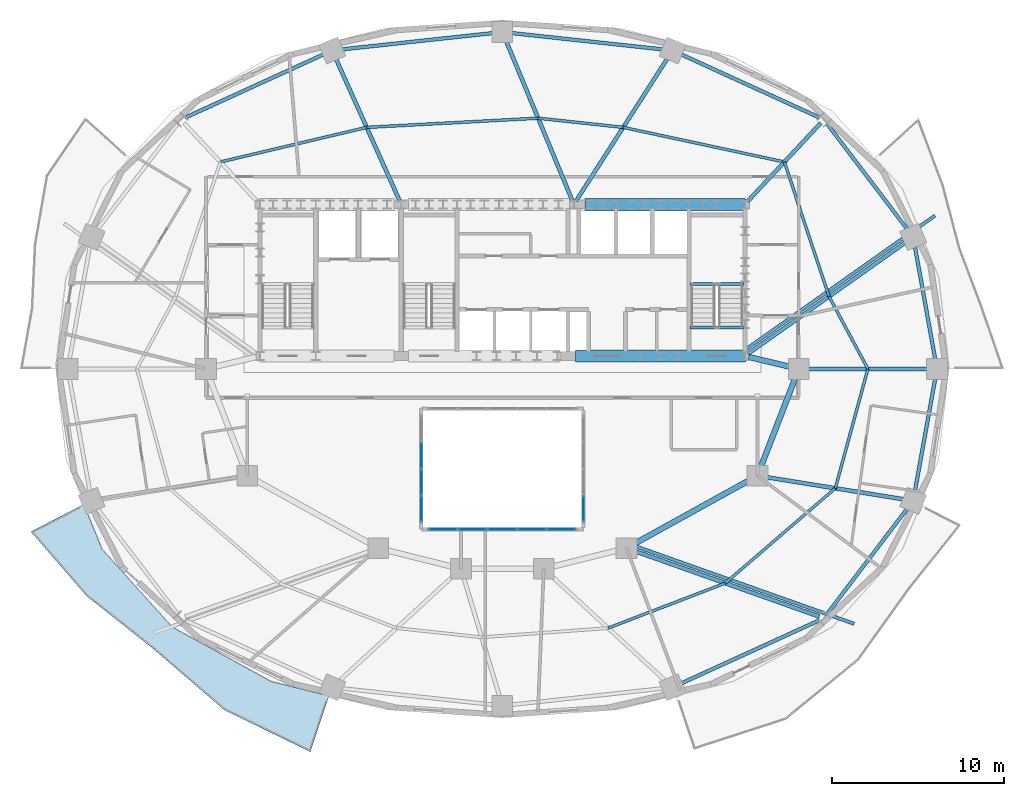
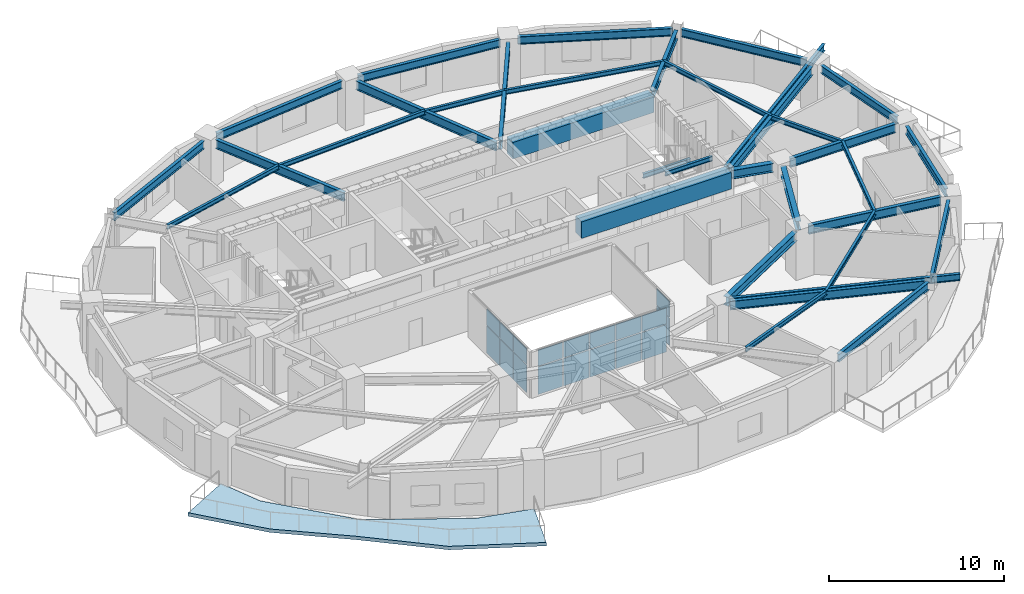
# One storey, part 4 of 12: 35 beams, 18 plates, 1 slab, 3 elements without a shape of their own.
"""IFC4 building model written with IfcOpenShell, lengths in metres."""

from ifc_helpers import new_model, si_unit, direction, frame, origin, origin_2d, place, context, subcontext, project, spatial, polyline, rectangle, i_section, outline, extrude, material, layer, layer_set, material_profile, profile_set, type_object, element, aggregate, save


model = new_model("IFC4")

# Units and contexts
model_context = context("Model", 3, precision=1e-05, world=origin(), true_north=direction((0.0, 1.0)))
body_context = subcontext(model_context, "Body", "Model", "MODEL_VIEW")
ifc_project = project(units=[si_unit("LENGTHUNIT", "METRE"), si_unit("AREAUNIT", "SQUARE_METRE"), si_unit("VOLUMEUNIT", "CUBIC_METRE"), si_unit("PLANEANGLEUNIT", "RADIAN"), si_unit("MASSUNIT", "GRAM", prefix="KILO")], contexts=[model_context])

# Site, building, storey
site_placement = place(None, origin())
site = spatial("IfcSite", under=ifc_project, at=site_placement, CompositionType="ELEMENT")
building_placement = place(site_placement, origin())
building = spatial("IfcBuilding", under=site, at=building_placement, Name="Haldorwick Loom Tower", CompositionType="ELEMENT")
storey_placement = place(building_placement, frame((0.0, 0.0, 157.89990234375)))
storey = spatial("IfcBuildingStorey", under=building, at=storey_placement, Name="L42", CompositionType="ELEMENT", Elevation=157.89990234375)

# Beams
ifc_material_1 = material(Name="Steel CSA G40.21 350W", Category="steel")
ifc_material_profile_1 = material_profile(ifc_material_1, i_section(OverallWidth=0.193115234375, OverallDepth=0.466064453125, WebThickness=0.011474609375, FlangeThickness=0.01904296875, at=origin_2d()), Name="W460X97", Category="steel")
ifc_profile_set_1 = profile_set([ifc_material_profile_1], Name="Steel CSA G40.21 350W")
beam_type_1 = type_object("IfcBeamType", Name="STR-BM-BAL460", PredefinedType="BEAM", material=ifc_profile_set_1)
beam_1_placement = place(storey_placement, frame((43.78369140625, 15.68994140625, 2.97705078125), z_axis=(0.942447955832, -0.334352883266, 0.0), x_axis=(0.334352883266, 0.942447955832, 0.0)))
element("IfcBeam", 1, at=beam_1_placement, inside=storey, type_object=beam_type_1, Name="L42 Continuous Back-Spanned Balcony Beam 1", PredefinedType="BEAM", context=body_context, shape_type="SweptSolid", body=[
    extrude(i_section(OverallWidth=0.193115234375, OverallDepth=0.466064453125, WebThickness=0.011474609375, FlangeThickness=0.01904296875, at=origin_2d()), origin(), (0.0, 0.0, 1.0), 13.385009765625),
])
beam_2_placement = place(storey_placement, frame((50.092041015625, 27.1083984375, 2.97705078125), z_axis=(0.816570288691, 0.577246016554, 0.0), x_axis=(-0.577246016554, 0.816570288691, 0.0)))
element("IfcBeam", 2, at=beam_2_placement, inside=storey, type_object=beam_type_1, Name="L42 Continuous Back-Spanned Balcony Beam 4", PredefinedType="BEAM", context=body_context, shape_type="SweptSolid", body=[
    extrude(i_section(OverallWidth=0.193115234375, OverallDepth=0.466064453125, WebThickness=0.011474609375, FlangeThickness=0.01904296875, at=origin_2d()), origin(), (0.0, 0.0, 1.0), 13.485107421875),
])
ifc_material_2 = material(Name="Concrete C60 (60 MPa)", Category="concrete")
ifc_material_profile_2 = material_profile(ifc_material_2, rectangle(XDim=0.699951171875, YDim=1.14990234375, at=origin_2d()), Name="RC700X1150", Category="concrete")
ifc_profile_set_2 = profile_set([ifc_material_profile_2], Name="Concrete C60 (60 MPa)")
beam_type_2 = type_object("IfcBeamType", Name="STR-BM-CB1150", PredefinedType="LINTEL", material=ifc_profile_set_2)
beam_3_placement = place(storey_placement, frame((40.800048828125, 35.550048828125, 2.635009765625), z_axis=(1.0, 0.0, 0.0), x_axis=(0.0, 1.0, 0.0)))
element("IfcBeam", 3, at=beam_3_placement, inside=storey, type_object=beam_type_2, Name="L42 Core Coupling Beam CB-N3", PredefinedType="LINTEL", context=body_context, shape_type="SweptSolid", body=[
    extrude(rectangle(XDim=0.699951171875, YDim=1.14990234375, at=origin_2d()), origin(), (0.0, 0.0, 1.0), 9.300048828125),
])
beam_4_placement = place(storey_placement, frame((40.25, 26.75, 2.635009765625), z_axis=(1.0, 0.0, 0.0), x_axis=(0.0, 1.0, 0.0)))
element("IfcBeam", 4, at=beam_4_placement, inside=storey, type_object=beam_type_2, Name="L42 Core Coupling Beam CB-S3", PredefinedType="LINTEL", context=body_context, shape_type="SweptSolid", body=[
    extrude(rectangle(XDim=0.699951171875, YDim=1.14990234375, at=origin_2d()), origin(), (0.0, 0.0, 1.0), 9.85009765625),
])
ifc_material_profile_3 = material_profile(ifc_material_1, i_section(OverallWidth=0.166015625, OverallDepth=0.31298828125, WebThickness=0.006591796875, FlangeThickness=0.01123046875, at=origin_2d()), Name="W310X45", Category="steel")
ifc_profile_set_3 = profile_set([ifc_material_profile_3], Name="Steel CSA G40.21 350W")
beam_type_3 = type_object("IfcBeamType", Name="STR-BM-J310", PredefinedType="JOIST", material=ifc_profile_set_3)
beam_5_placement = place(storey_placement, frame((57.20849609375, 26.0, 3.0537109375), z_axis=(-0.472930162238, 0.881099915813, 0.0), x_axis=(-0.881099915813, -0.472930162238, 0.0)))
element("IfcBeam", 5, at=beam_5_placement, inside=storey, type_object=beam_type_3, Name="L42 Mid-Bay Secondary Joist 1", PredefinedType="JOIST", context=body_context, shape_type="SweptSolid", body=[
    extrude(i_section(OverallWidth=0.166015625, OverallDepth=0.31298828125, WebThickness=0.006591796875, FlangeThickness=0.01123046875, at=origin_2d()), origin(), (0.0, 0.0, 1.0), 4.76904296875),
])
beam_6_placement = place(storey_placement, frame((54.953125, 30.201904296875, 3.0537109375), z_axis=(-0.314980632705, 0.949098098734, 0.0), x_axis=(-0.949098098734, -0.314980632705, 0.0)))
element("IfcBeam", 6, at=beam_6_placement, inside=storey, type_object=beam_type_3, Name="L42 Mid-Bay Secondary Joist 2", PredefinedType="JOIST", context=body_context, shape_type="SweptSolid", body=[
    extrude(i_section(OverallWidth=0.166015625, OverallDepth=0.31298828125, WebThickness=0.006591796875, FlangeThickness=0.01123046875, at=origin_2d()), origin(), (0.0, 0.0, 1.0), 8.223876953125),
])
beam_7_placement = place(storey_placement, frame((52.36279296875, 38.007080078125, 3.0537109375), z_axis=(-0.977737366421, 0.209832414808, 0.0), x_axis=(-0.209832414808, -0.977737366421, 0.0)))
element("IfcBeam", 7, at=beam_7_placement, inside=storey, type_object=beam_type_3, Name="L42 Mid-Bay Secondary Joist 3", PredefinedType="JOIST", context=body_context, shape_type="SweptSolid", body=[
    extrude(i_section(OverallWidth=0.166015625, OverallDepth=0.31298828125, WebThickness=0.006591796875, FlangeThickness=0.01123046875, at=origin_2d()), origin(), (0.0, 0.0, 1.0), 9.56396484375),
])
beam_8_placement = place(storey_placement, frame((43.01171875, 40.013916015625, 3.0537109375), z_axis=(-0.994212584227, 0.107430616514, 0.0), x_axis=(-0.107430616514, -0.994212584227, 0.0)))
element("IfcBeam", 8, at=beam_8_placement, inside=storey, type_object=beam_type_3, Name="L42 Mid-Bay Secondary Joist 4", PredefinedType="JOIST", context=body_context, shape_type="SweptSolid", body=[
    extrude(i_section(OverallWidth=0.166015625, OverallDepth=0.31298828125, WebThickness=0.006591796875, FlangeThickness=0.01123046875, at=origin_2d()), origin(), (0.0, 0.0, 1.0), 4.965576171875),
])
beam_9_placement = place(storey_placement, frame((38.074951171875, 40.54736328125, 3.0537109375), z_axis=(-0.998564927415, -0.053554511828, 0.0), x_axis=(0.053554511828, -0.998564927415, 0.0)))
element("IfcBeam", 9, at=beam_9_placement, inside=storey, type_object=beam_type_3, Name="L42 Mid-Bay Secondary Joist 5", PredefinedType="JOIST", context=body_context, shape_type="SweptSolid", body=[
    extrude(i_section(OverallWidth=0.166015625, OverallDepth=0.31298828125, WebThickness=0.006591796875, FlangeThickness=0.01123046875, at=origin_2d()), origin(), (0.0, 0.0, 1.0), 9.9609375),
])
beam_10_placement = place(storey_placement, frame((28.12841796875, 40.013916015625, 3.0537109375), z_axis=(-0.973189168086, -0.230006180612, 0.0), x_axis=(0.230006180612, -0.973189168086, 0.0)))
element("IfcBeam", 10, at=beam_10_placement, inside=storey, type_object=beam_type_3, Name="L42 Mid-Bay Secondary Joist 6", PredefinedType="JOIST", context=body_context, shape_type="SweptSolid", body=[
    extrude(i_section(OverallWidth=0.166015625, OverallDepth=0.31298828125, WebThickness=0.006591796875, FlangeThickness=0.01123046875, at=origin_2d()), origin(), (0.0, 0.0, 1.0), 8.72509765625),
])
beam_11_placement = place(storey_placement, frame((42.13671875, 10.961181640625, 3.0537109375), z_axis=(0.933586737031, 0.358351509609, 0.0), x_axis=(-0.358351509609, 0.933586737031, 0.0)))
element("IfcBeam", 11, at=beam_11_placement, inside=storey, type_object=beam_type_3, Name="L42 Mid-Bay Secondary Joist 14", PredefinedType="JOIST", context=body_context, shape_type="SweptSolid", body=[
    extrude(i_section(OverallWidth=0.166015625, OverallDepth=0.31298828125, WebThickness=0.006591796875, FlangeThickness=0.01123046875, at=origin_2d()), origin(), (0.0, 0.0, 1.0), 7.274169921875),
])
beam_12_placement = place(storey_placement, frame((48.927734375, 13.56787109375, 3.0537109375), z_axis=(0.75763401328, 0.652679631918, 0.0), x_axis=(-0.652679631918, 0.75763401328, 0.0)))
element("IfcBeam", 12, at=beam_12_placement, inside=storey, type_object=beam_type_3, Name="L42 Mid-Bay Secondary Joist 15", PredefinedType="JOIST", context=body_context, shape_type="SweptSolid", body=[
    extrude(i_section(OverallWidth=0.166015625, OverallDepth=0.31298828125, WebThickness=0.006591796875, FlangeThickness=0.01123046875, at=origin_2d()), origin(), (0.0, 0.0, 1.0), 8.4345703125),
])
beam_13_placement = place(storey_placement, frame((55.318115234375, 19.072998046875, 3.0537109375), z_axis=(0.263272762578, 0.964721437766, 0.0), x_axis=(-0.964721437766, 0.263272762578, 0.0)))
element("IfcBeam", 13, at=beam_13_placement, inside=storey, type_object=beam_type_3, Name="L42 Mid-Bay Secondary Joist 16", PredefinedType="JOIST", context=body_context, shape_type="SweptSolid", body=[
    extrude(i_section(OverallWidth=0.166015625, OverallDepth=0.31298828125, WebThickness=0.006591796875, FlangeThickness=0.01123046875, at=origin_2d()), origin(), (0.0, 0.0, 1.0), 7.180419921875),
])
ifc_material_profile_4 = material_profile(ifc_material_1, i_section(OverallWidth=0.2119140625, OverallDepth=0.5439453125, WebThickness=0.01318359375, FlangeThickness=0.021240234375, at=origin_2d()), Name="W530X123", Category="steel")
ifc_profile_set_4 = profile_set([ifc_material_profile_4], Name="Steel CSA G40.21 350W")
beam_type_4 = type_object("IfcBeamType", Name="STR-BM-SP530", PredefinedType="SPANDREL", material=ifc_profile_set_4)
beam_14_placement = place(storey_placement, frame((61.124755859375, 26.51171875, 2.93798828125), z_axis=(-0.177558730702, 0.984110205796, 0.0), x_axis=(-0.984110205796, -0.177558730702, 0.0)))
element("IfcBeam", 14, at=beam_14_placement, inside=storey, type_object=beam_type_4, Name="L42 Perimeter Spandrel 1", PredefinedType="SPANDREL", context=body_context, shape_type="SweptSolid", body=[
    extrude(i_section(OverallWidth=0.2119140625, OverallDepth=0.5439453125, WebThickness=0.01318359375, FlangeThickness=0.021240234375, at=origin_2d()), origin(), (0.0, 0.0, 1.0), 6.737548828125),
])
beam_15_placement = place(storey_placement, frame((59.521240234375, 34.067626953125, 2.93798828125), z_axis=(-0.605421356486, 0.795905133236, 0.0), x_axis=(-0.795905133236, -0.605421356486, 0.0)))
element("IfcBeam", 15, at=beam_15_placement, inside=storey, type_object=beam_type_4, Name="L42 Perimeter Spandrel 2", PredefinedType="SPANDREL", context=body_context, shape_type="SweptSolid", body=[
    extrude(i_section(OverallWidth=0.2119140625, OverallDepth=0.5439453125, WebThickness=0.01318359375, FlangeThickness=0.021240234375, at=origin_2d()), origin(), (0.0, 0.0, 1.0), 7.761962890625),
])
beam_16_placement = place(storey_placement, frame((54.405517578125, 40.57861328125, 2.93798828125), z_axis=(-0.909534296496, 0.415628877121, 0.0), x_axis=(-0.415628877121, -0.909534296496, 0.0)))
element("IfcBeam", 16, at=beam_16_placement, inside=storey, type_object=beam_type_4, Name="L42 Perimeter Spandrel 3", PredefinedType="SPANDREL", context=body_context, shape_type="SweptSolid", body=[
    extrude(i_section(OverallWidth=0.2119140625, OverallDepth=0.5439453125, WebThickness=0.01318359375, FlangeThickness=0.021240234375, at=origin_2d()), origin(), (0.0, 0.0, 1.0), 8.86083984375),
])
for number, where, z_axis, x_axis, name in (
    (17, (45.356201171875, 44.533447265625, 2.93798828125), (-0.994210140187, 0.107453232386, 0.0), (-0.107453232386, -0.994210140187, 0.0), "L42 Perimeter Spandrel 4"),
    (18, (35.48291015625, 45.48876953125, 2.93798828125), (-0.994210140187, -0.107453232386, 0.0), (0.107453232386, -0.994210140187, 0.0), "L42 Perimeter Spandrel 5"),
):
    element("IfcBeam", number, at=place(storey_placement, frame(where, z_axis=z_axis, x_axis=x_axis)), inside=storey, type_object=beam_type_4, Name=name, PredefinedType="SPANDREL", context=body_context, shape_type="SweptSolid", body=[
        extrude(i_section(OverallWidth=0.2119140625, OverallDepth=0.5439453125, WebThickness=0.01318359375, FlangeThickness=0.021240234375, at=origin_2d()), origin(), (0.0, 0.0, 1.0), 8.890625),
    ])
for number, where, z_axis, x_axis, name in (
    (19, (25.65380859375, 44.261474609375, 2.93798828125), (-0.909534296496, -0.415628877121, 0.0), (0.415628877121, -0.909534296496, 0.0), "L42 Perimeter Spandrel 6"),
    (20, (46.34619140625, 7.738525390625, 2.93798828125), (0.909534296496, 0.415628877121, 0.0), (-0.415628877121, 0.909534296496, 0.0), "L42 Perimeter Spandrel 14"),
):
    element("IfcBeam", number, at=place(storey_placement, frame(where, z_axis=z_axis, x_axis=x_axis)), inside=storey, type_object=beam_type_4, Name=name, PredefinedType="SPANDREL", context=body_context, shape_type="SweptSolid", body=[
        extrude(i_section(OverallWidth=0.2119140625, OverallDepth=0.5439453125, WebThickness=0.01318359375, FlangeThickness=0.021240234375, at=origin_2d()), origin(), (0.0, 0.0, 1.0), 8.86083984375),
    ])
beam_17_placement = place(storey_placement, frame((54.822021484375, 11.754638671875, 2.93798828125), z_axis=(0.605421356486, 0.795905133236, 0.0), x_axis=(-0.795905133236, 0.605421356486, 0.0)))
element("IfcBeam", 21, at=beam_17_placement, inside=storey, type_object=beam_type_4, Name="L42 Perimeter Spandrel 15", PredefinedType="SPANDREL", context=body_context, shape_type="SweptSolid", body=[
    extrude(i_section(OverallWidth=0.2119140625, OverallDepth=0.5439453125, WebThickness=0.01318359375, FlangeThickness=0.021240234375, at=origin_2d()), origin(), (0.0, 0.0, 1.0), 7.761962890625),
])
beam_18_placement = place(storey_placement, frame((59.928466796875, 18.85791015625, 2.93798828125), z_axis=(0.177558730702, 0.984110205796, 0.0), x_axis=(-0.984110205796, 0.177558730702, 0.0)))
element("IfcBeam", 22, at=beam_18_placement, inside=storey, type_object=beam_type_4, Name="L42 Perimeter Spandrel 16", PredefinedType="SPANDREL", context=body_context, shape_type="SweptSolid", body=[
    extrude(i_section(OverallWidth=0.2119140625, OverallDepth=0.5439453125, WebThickness=0.01318359375, FlangeThickness=0.021240234375, at=origin_2d()), origin(), (0.0, 0.0, 1.0), 6.737548828125),
])
ifc_material_profile_5 = material_profile(ifc_material_1, i_section(OverallWidth=0.166015625, OverallDepth=0.31298828125, WebThickness=0.006591796875, FlangeThickness=0.01123046875, at=origin_2d()), Name="W310X45", Category="steel")
ifc_profile_set_5 = profile_set([ifc_material_profile_5], Name="Steel CSA G40.21 350W")
beam_type_5 = type_object("IfcBeamType", Name="STR-BM-STRM", PredefinedType="BEAM", material=ifc_profile_set_5)
for number, where, z_axis, x_axis, name in (
    (23, (46.889892578125, 28.39990234375, 3.0537109375), (1.0, 0.0, 0.0), (0.0, 1.0, 0.0), "L42 Stair ST-02 Landing Edge Trimmer"),
    (24, (46.889892578125, 30.919921875, 1.36865234375), (1.0, 0.0, 0.0), (0.0, 1.0, 0.0), "L42 Stair ST-02 Half-Landing Trimmer 1"),
):
    element("IfcBeam", number, at=place(storey_placement, frame(where, z_axis=z_axis, x_axis=x_axis)), inside=storey, type_object=beam_type_5, Name=name, PredefinedType="BEAM", context=body_context, shape_type="SweptSolid", body=[
        extrude(i_section(OverallWidth=0.166015625, OverallDepth=0.31298828125, WebThickness=0.006591796875, FlangeThickness=0.01123046875, at=origin_2d()), origin(), (0.0, 0.0, 1.0), 3.1201171875),
    ])
ifc_material_profile_6 = material_profile(ifc_material_1, i_section(OverallWidth=0.324951171875, OverallDepth=0.615966796875, WebThickness=0.013916015625, FlangeThickness=0.021484375, at=origin_2d()), Name="W610X174", Category="steel")
ifc_profile_set_6 = profile_set([ifc_material_profile_6], Name="Steel CSA G40.21 350W")
beam_type_6 = type_object("IfcBeamType", Name="STR-BM-W610A", PredefinedType="BEAM", material=ifc_profile_set_6)
beam_19_placement = place(storey_placement, frame((50.288818359375, 26.697509765625, 2.902099609375), z_axis=(0.97247055837, -0.233025777764, 0.0), x_axis=(0.233025777764, 0.97247055837, 0.0)))
element("IfcBeam", 25, at=beam_19_placement, inside=storey, type_object=beam_type_6, Name="L42 Inner Ring Girder 1", PredefinedType="BEAM", context=body_context, shape_type="SweptSolid", body=[
    extrude(i_section(OverallWidth=0.324951171875, OverallDepth=0.615966796875, WebThickness=0.013916015625, FlangeThickness=0.021484375, at=origin_2d()), origin(), (0.0, 0.0, 1.0), 2.4736328125),
])
beam_20_placement = place(storey_placement, frame((53.01220703125, 25.51513671875, 2.902099609375), z_axis=(-0.360964792353, -0.93257944363, 0.0), x_axis=(0.93257944363, -0.360964792353, 0.0)))
element("IfcBeam", 26, at=beam_20_placement, inside=storey, type_object=beam_type_6, Name="L42 Inner Ring Girder 2", PredefinedType="BEAM", context=body_context, shape_type="SweptSolid", body=[
    extrude(i_section(OverallWidth=0.324951171875, OverallDepth=0.615966796875, WebThickness=0.013916015625, FlangeThickness=0.021484375, at=origin_2d()), origin(), (0.0, 0.0, 1.0), 5.6083984375),
])
beam_21_placement = place(storey_placement, frame((50.344970703125, 19.548583984375, 2.902099609375), z_axis=(-0.875244382146, -0.483680960471, 0.0), x_axis=(0.483680960471, -0.875244382146, 0.0)))
element("IfcBeam", 27, at=beam_21_placement, inside=storey, type_object=beam_type_6, Name="L42 Inner Ring Girder 3", PredefinedType="BEAM", context=body_context, shape_type="SweptSolid", body=[
    extrude(i_section(OverallWidth=0.324951171875, OverallDepth=0.615966796875, WebThickness=0.013916015625, FlangeThickness=0.021484375, at=origin_2d()), origin(), (0.0, 0.0, 1.0), 7.6435546875),
])
ifc_material_profile_7 = material_profile(ifc_material_1, i_section(OverallWidth=0.22998046875, OverallDepth=0.616943359375, WebThickness=0.01318359375, FlangeThickness=0.022216796875, at=origin_2d()), Name="W610X140", Category="steel")
ifc_profile_set_7 = profile_set([ifc_material_profile_7], Name="Steel CSA G40.21 350W")
beam_type_7 = type_object("IfcBeamType", Name="STR-BM-W610B", PredefinedType="BEAM", material=ifc_profile_set_7)
beam_22_placement = place(storey_placement, frame((53.719970703125, 26.0, 2.901611328125), z_axis=(1.0, 0.0, 0.0), x_axis=(0.0, 1.0, 0.0)))
element("IfcBeam", 28, at=beam_22_placement, inside=storey, type_object=beam_type_7, Name="L42 Radial Floor Girder 1", PredefinedType="BEAM", context=body_context, shape_type="SweptSolid", body=[
    extrude(i_section(OverallWidth=0.22998046875, OverallDepth=0.616943359375, WebThickness=0.01318359375, FlangeThickness=0.022216796875, at=origin_2d()), origin(), (0.0, 0.0, 1.0), 6.97705078125),
])
beam_23_placement = place(storey_placement, frame((50.253662109375, 26.8798828125, 2.901611328125), z_axis=(0.816581567299, 0.577230061542, 0.0), x_axis=(-0.577230061542, 0.816581567299, 0.0)))
element("IfcBeam", 29, at=beam_23_placement, inside=storey, type_object=beam_type_7, Name="L42 Radial Floor Girder 2", PredefinedType="BEAM", context=body_context, shape_type="SweptSolid", body=[
    extrude(i_section(OverallWidth=0.22998046875, OverallDepth=0.616943359375, WebThickness=0.01318359375, FlangeThickness=0.022216796875, at=origin_2d()), origin(), (0.0, 0.0, 1.0), 11.215087890625),
])
beam_24_placement = place(storey_placement, frame((50.223388671875, 35.714599609375, 2.901611328125), z_axis=(0.682256728841, 0.731112683484, 0.0), x_axis=(-0.731112683484, 0.682256728841, 0.0)))
element("IfcBeam", 30, at=beam_24_placement, inside=storey, type_object=beam_type_7, Name="L42 Radial Floor Girder 3", PredefinedType="BEAM", context=body_context, shape_type="SweptSolid", body=[
    extrude(i_section(OverallWidth=0.22998046875, OverallDepth=0.616943359375, WebThickness=0.01318359375, FlangeThickness=0.022216796875, at=origin_2d()), origin(), (0.0, 0.0, 1.0), 6.221435546875),
])
beam_25_placement = place(storey_placement, frame((40.271484375, 35.739501953125, 2.901611328125), z_axis=(0.53969086509, 0.841863272829, 0.0), x_axis=(-0.841863272829, 0.53969086509, 0.0)))
element("IfcBeam", 31, at=beam_25_placement, inside=storey, type_object=beam_type_7, Name="L42 Radial Floor Girder 4", PredefinedType="BEAM", context=body_context, shape_type="SweptSolid", body=[
    extrude(i_section(OverallWidth=0.22998046875, OverallDepth=0.616943359375, WebThickness=0.01318359375, FlangeThickness=0.022216796875, at=origin_2d()), origin(), (0.0, 0.0, 1.0), 9.859375),
])
beam_26_placement = place(storey_placement, frame((40.063720703125, 35.7578125, 2.901611328125), z_axis=(-0.383472813848, 0.923552164764, 0.0), x_axis=(-0.923552164764, -0.383472813848, 0.0)))
element("IfcBeam", 32, at=beam_26_placement, inside=storey, type_object=beam_type_7, Name="L42 Radial Floor Girder 5", PredefinedType="BEAM", context=body_context, shape_type="SweptSolid", body=[
    extrude(i_section(OverallWidth=0.22998046875, OverallDepth=0.616943359375, WebThickness=0.01318359375, FlangeThickness=0.022216796875, at=origin_2d()), origin(), (0.0, 0.0, 1.0), 10.076904296875),
])
beam_27_placement = place(storey_placement, frame((30.037841796875, 35.75537109375, 2.901611328125), z_axis=(-0.409143536778, 0.912470035844, 0.0), x_axis=(-0.912470035844, -0.409143536778, 0.0)))
element("IfcBeam", 33, at=beam_27_placement, inside=storey, type_object=beam_type_7, Name="L42 Radial Floor Girder 6", PredefinedType="BEAM", context=body_context, shape_type="SweptSolid", body=[
    extrude(i_section(OverallWidth=0.22998046875, OverallDepth=0.616943359375, WebThickness=0.01318359375, FlangeThickness=0.022216796875, at=origin_2d()), origin(), (0.0, 0.0, 1.0), 9.0390625),
])
beam_28_placement = place(storey_placement, frame((43.690185546875, 15.426025390625, 2.901611328125), z_axis=(0.9424463153, -0.334357507433, 0.0), x_axis=(0.334357507433, 0.9424463153, 0.0)))
element("IfcBeam", 34, at=beam_28_placement, inside=storey, type_object=beam_type_7, Name="L42 Radial Floor Girder 15", PredefinedType="BEAM", context=body_context, shape_type="SweptSolid", body=[
    extrude(i_section(OverallWidth=0.22998046875, OverallDepth=0.616943359375, WebThickness=0.01318359375, FlangeThickness=0.022216796875, at=origin_2d()), origin(), (0.0, 0.0, 1.0), 11.360107421875),
])
beam_29_placement = place(storey_placement, frame((51.3134765625, 19.71728515625, 2.901611328125), z_axis=(0.987308639475, -0.158813256432, 0.0), x_axis=(0.158813256432, 0.987308639475, 0.0)))
element("IfcBeam", 35, at=beam_29_placement, inside=storey, type_object=beam_type_7, Name="L42 Radial Floor Girder 16", PredefinedType="BEAM", context=body_context, shape_type="SweptSolid", body=[
    extrude(i_section(OverallWidth=0.22998046875, OverallDepth=0.616943359375, WebThickness=0.01318359375, FlangeThickness=0.022216796875, at=origin_2d()), origin(), (0.0, 0.0, 1.0), 8.1123046875),
])

# Curtain wall, plates
ifc_material_3 = material(Name="Thermally Broken Anodized Aluminium Curtain Wall Framing", Category="aluminium")
curtain_wall_type = type_object("IfcCurtainWallType", Name="ARC-CW-03", PredefinedType="NOTDEFINED", material=ifc_material_3)
curtain_wall_1_placement = place(storey_placement, origin())
curtain_wall_1 = element("IfcCurtainWall", 36, at=curtain_wall_1_placement, inside=storey, type_object=curtain_wall_type, Name="L42 Atrium Glazed Screen S", PredefinedType="NOTDEFINED")
ifc_material_4 = material(Name="Triple-Glazed Low-E Argon Insulated Glazing Unit", Category="glass")
ifc_layer_1 = layer(ifc_material_4, 0.04296875, Name="Triple-Glazed Low-E Argon Insulated Glazing Unit", Category="glass")
ifc_layer_set_1 = layer_set([ifc_layer_1], Name="Triple-Glazed Low-E Argon Insulated Glazing Unit")
plate_type = type_object("IfcPlateType", Name="ARC-CWP-03", PredefinedType="CURTAIN_PANEL", material=ifc_layer_set_1)
plate_1_placement = place(storey_placement, frame((39.423583984375, 16.699951171875, 0.066162109375), z_axis=(0.0, 0.0, 1.0), x_axis=(-1.0, 0.0, 0.0)))
plate_1 = element("IfcPlate", 37, at=plate_1_placement, type_object=plate_type, Name="CW-03 panel 1.1", PredefinedType="CURTAIN_PANEL", context=body_context, shape_type="SweptSolid", body=[
    extrude(rectangle(XDim=1.62109375, YDim=0.04296875, at=origin_2d()), origin(), (0.0, 0.0, 1.0), 1.90087890625),
])
plate_2_placement = place(storey_placement, frame((39.423583984375, 16.699951171875, 2.033203125), z_axis=(0.0, 0.0, 1.0), x_axis=(-1.0, 0.0, 0.0)))
plate_2 = element("IfcPlate", 38, at=plate_2_placement, type_object=plate_type, Name="CW-03 panel 1.2", PredefinedType="CURTAIN_PANEL", context=body_context, shape_type="SweptSolid", body=[
    extrude(rectangle(XDim=1.62109375, YDim=0.04296875, at=origin_2d()), origin(), (0.0, 0.0, 1.0), 1.111083984375),
])
plate_3_placement = place(storey_placement, frame((37.719970703125, 16.699951171875, 0.066162109375), z_axis=(0.0, 0.0, 1.0), x_axis=(-1.0, 0.0, 0.0)))
plate_3 = element("IfcPlate", 39, at=plate_3_placement, type_object=plate_type, Name="CW-03 panel 2.1", PredefinedType="CURTAIN_PANEL", context=body_context, shape_type="SweptSolid", body=[
    extrude(rectangle(XDim=1.654052734375, YDim=0.04296875, at=origin_2d()), origin(), (0.0, 0.0, 1.0), 1.90087890625),
])
plate_4_placement = place(storey_placement, frame((37.719970703125, 16.699951171875, 2.033203125), z_axis=(0.0, 0.0, 1.0), x_axis=(-1.0, 0.0, 0.0)))
plate_4 = element("IfcPlate", 40, at=plate_4_placement, type_object=plate_type, Name="CW-03 panel 2.2", PredefinedType="CURTAIN_PANEL", context=body_context, shape_type="SweptSolid", body=[
    extrude(rectangle(XDim=1.654052734375, YDim=0.04296875, at=origin_2d()), origin(), (0.0, 0.0, 1.0), 1.111083984375),
])
plate_5_placement = place(storey_placement, frame((36.0, 16.699951171875, 0.066162109375), z_axis=(0.0, 0.0, 1.0), x_axis=(-1.0, 0.0, 0.0)))
plate_5 = element("IfcPlate", 41, at=plate_5_placement, type_object=plate_type, Name="CW-03 panel 3.1", PredefinedType="CURTAIN_PANEL", context=body_context, shape_type="SweptSolid", body=[
    extrude(rectangle(XDim=1.654052734375, YDim=0.04296875, at=origin_2d()), origin(), (0.0, 0.0, 1.0), 1.90087890625),
])
plate_6_placement = place(storey_placement, frame((36.0, 16.699951171875, 2.033203125), z_axis=(0.0, 0.0, 1.0), x_axis=(-1.0, 0.0, 0.0)))
plate_6 = element("IfcPlate", 42, at=plate_6_placement, type_object=plate_type, Name="CW-03 panel 3.2", PredefinedType="CURTAIN_PANEL", context=body_context, shape_type="SweptSolid", body=[
    extrude(rectangle(XDim=1.654052734375, YDim=0.04296875, at=origin_2d()), origin(), (0.0, 0.0, 1.0), 1.111083984375),
])
plate_7_placement = place(storey_placement, frame((34.280029296875, 16.699951171875, 0.066162109375), z_axis=(0.0, 0.0, 1.0), x_axis=(-1.0, 0.0, 0.0)))
plate_7 = element("IfcPlate", 43, at=plate_7_placement, type_object=plate_type, Name="CW-03 panel 4.1", PredefinedType="CURTAIN_PANEL", context=body_context, shape_type="SweptSolid", body=[
    extrude(rectangle(XDim=1.654052734375, YDim=0.04296875, at=origin_2d()), origin(), (0.0, 0.0, 1.0), 1.90087890625),
])
plate_8_placement = place(storey_placement, frame((34.280029296875, 16.699951171875, 2.033203125), z_axis=(0.0, 0.0, 1.0), x_axis=(-1.0, 0.0, 0.0)))
plate_8 = element("IfcPlate", 44, at=plate_8_placement, type_object=plate_type, Name="CW-03 panel 4.2", PredefinedType="CURTAIN_PANEL", context=body_context, shape_type="SweptSolid", body=[
    extrude(rectangle(XDim=1.654052734375, YDim=0.04296875, at=origin_2d()), origin(), (0.0, 0.0, 1.0), 1.111083984375),
])
plate_9_placement = place(storey_placement, frame((32.576416015625, 16.699951171875, 0.066162109375), z_axis=(0.0, 0.0, 1.0), x_axis=(-1.0, 0.0, 0.0)))
plate_9 = element("IfcPlate", 45, at=plate_9_placement, type_object=plate_type, Name="CW-03 panel 5.1", PredefinedType="CURTAIN_PANEL", context=body_context, shape_type="SweptSolid", body=[
    extrude(rectangle(XDim=1.62109375, YDim=0.04296875, at=origin_2d()), origin(), (0.0, 0.0, 1.0), 1.90087890625),
])
plate_10_placement = place(storey_placement, frame((32.576416015625, 16.699951171875, 2.033203125), z_axis=(0.0, 0.0, 1.0), x_axis=(-1.0, 0.0, 0.0)))
plate_10 = element("IfcPlate", 46, at=plate_10_placement, type_object=plate_type, Name="CW-03 panel 5.2", PredefinedType="CURTAIN_PANEL", context=body_context, shape_type="SweptSolid", body=[
    extrude(rectangle(XDim=1.62109375, YDim=0.04296875, at=origin_2d()), origin(), (0.0, 0.0, 1.0), 1.111083984375),
])
aggregate(curtain_wall_1, [plate_1, plate_2, plate_3, plate_4, plate_5, plate_6, plate_7, plate_8, plate_9, plate_10])

curtain_wall_2_placement = place(storey_placement, origin())
curtain_wall_2 = element("IfcCurtainWall", 47, at=curtain_wall_2_placement, inside=storey, type_object=curtain_wall_type, Name="L42 Atrium Glazed Screen W", PredefinedType="NOTDEFINED")
plate_11_placement = place(storey_placement, frame((31.300048828125, 17.8916015625, 0.066162109375), z_axis=(0.0, 0.0, 1.0), x_axis=(0.0, 1.0, 0.0)))
plate_11 = element("IfcPlate", 48, at=plate_11_placement, type_object=plate_type, Name="CW-03 panel 1.1", PredefinedType="CURTAIN_PANEL", context=body_context, shape_type="SweptSolid", body=[
    extrude(rectangle(XDim=1.450927734375, YDim=0.04296875, at=origin_2d()), origin(), (0.0, 0.0, 1.0), 1.90087890625),
])
plate_12_placement = place(storey_placement, frame((31.300048828125, 17.8916015625, 2.033203125), z_axis=(0.0, 0.0, 1.0), x_axis=(0.0, 1.0, 0.0)))
plate_12 = element("IfcPlate", 49, at=plate_12_placement, type_object=plate_type, Name="CW-03 panel 1.2", PredefinedType="CURTAIN_PANEL", context=body_context, shape_type="SweptSolid", body=[
    extrude(rectangle(XDim=1.450927734375, YDim=0.04296875, at=origin_2d()), origin(), (0.0, 0.0, 1.0), 1.111083984375),
])
plate_13_placement = place(storey_placement, frame((31.300048828125, 19.425048828125, 0.066162109375), z_axis=(0.0, 0.0, 1.0), x_axis=(0.0, 1.0, 0.0)))
plate_13 = element("IfcPlate", 50, at=plate_13_placement, type_object=plate_type, Name="CW-03 panel 2.1", PredefinedType="CURTAIN_PANEL", context=body_context, shape_type="SweptSolid", body=[
    extrude(rectangle(XDim=1.48388671875, YDim=0.04296875, at=origin_2d()), origin(), (0.0, 0.0, 1.0), 1.90087890625),
])
plate_14_placement = place(storey_placement, frame((31.300048828125, 19.425048828125, 2.033203125), z_axis=(0.0, 0.0, 1.0), x_axis=(0.0, 1.0, 0.0)))
plate_14 = element("IfcPlate", 51, at=plate_14_placement, type_object=plate_type, Name="CW-03 panel 2.2", PredefinedType="CURTAIN_PANEL", context=body_context, shape_type="SweptSolid", body=[
    extrude(rectangle(XDim=1.48388671875, YDim=0.04296875, at=origin_2d()), origin(), (0.0, 0.0, 1.0), 1.111083984375),
])
plate_15_placement = place(storey_placement, frame((31.300048828125, 20.97509765625, 0.066162109375), z_axis=(0.0, 0.0, 1.0), x_axis=(0.0, 1.0, 0.0)))
plate_15 = element("IfcPlate", 52, at=plate_15_placement, type_object=plate_type, Name="CW-03 panel 3.1", PredefinedType="CURTAIN_PANEL", context=body_context, shape_type="SweptSolid", body=[
    extrude(rectangle(XDim=1.48388671875, YDim=0.04296875, at=origin_2d()), origin(), (0.0, 0.0, 1.0), 1.90087890625),
])
plate_16_placement = place(storey_placement, frame((31.300048828125, 20.97509765625, 2.033203125), z_axis=(0.0, 0.0, 1.0), x_axis=(0.0, 1.0, 0.0)))
plate_16 = element("IfcPlate", 53, at=plate_16_placement, type_object=plate_type, Name="CW-03 panel 3.2", PredefinedType="CURTAIN_PANEL", context=body_context, shape_type="SweptSolid", body=[
    extrude(rectangle(XDim=1.48388671875, YDim=0.04296875, at=origin_2d()), origin(), (0.0, 0.0, 1.0), 1.111083984375),
])
aggregate(curtain_wall_2, [plate_11, plate_12, plate_13, plate_14, plate_15, plate_16])

curtain_wall_3_placement = place(storey_placement, origin())
curtain_wall_3 = element("IfcCurtainWall", 54, at=curtain_wall_3_placement, inside=storey, type_object=curtain_wall_type, Name="L42 Atrium Glazed Screen E", PredefinedType="NOTDEFINED")
plate_17_placement = place(storey_placement, frame((40.699951171875, 17.8916015625, 0.066162109375), z_axis=(0.0, 0.0, 1.0), x_axis=(0.0, -1.0, 0.0)))
plate_17 = element("IfcPlate", 55, at=plate_17_placement, type_object=plate_type, Name="CW-03 panel 4.1", PredefinedType="CURTAIN_PANEL", context=body_context, shape_type="SweptSolid", body=[
    extrude(rectangle(XDim=1.450927734375, YDim=0.04296875, at=origin_2d()), origin(), (0.0, 0.0, 1.0), 1.90087890625),
])
plate_18_placement = place(storey_placement, frame((40.699951171875, 17.8916015625, 2.033203125), z_axis=(0.0, 0.0, 1.0), x_axis=(0.0, -1.0, 0.0)))
plate_18 = element("IfcPlate", 56, at=plate_18_placement, type_object=plate_type, Name="CW-03 panel 4.2", PredefinedType="CURTAIN_PANEL", context=body_context, shape_type="SweptSolid", body=[
    extrude(rectangle(XDim=1.450927734375, YDim=0.04296875, at=origin_2d()), origin(), (0.0, 0.0, 1.0), 1.111083984375),
])
aggregate(curtain_wall_3, [plate_17, plate_18])

# Slab
ifc_material_5 = material(Name="Concrete C40 (40 MPa)", Category="concrete")
ifc_layer_2 = layer(ifc_material_5, 0.239990234375, Name="Concrete C40 (40 MPa)", Category="concrete")
ifc_layer_set_2 = layer_set([ifc_layer_2], Name="Concrete C40 (40 MPa)")
slab_type = type_object("IfcSlabType", Name="STR-SLB-BAL240", PredefinedType="FLOOR", material=ifc_layer_set_2)
slab_placement = place(storey_placement, frame((0.0, 0.0, -0.239990234375)))
element("IfcSlab", 57, at=slab_placement, inside=storey, type_object=slab_type, Name="L42 Sinusoidal Balcony Terrace BAL_SW", PredefinedType="FLOOR", context=body_context, shape_type="SweptSolid", body=[
    extrude(outline(polyline([(25.94091796875, 7.027587890625), (22.6005859375, 7.861572265625), (22.599365234375, 7.86181640625), (22.59814453125, 7.8623046875), (22.596923828125, 7.863037109375), (16.84228515625, 11.02783203125), (16.8408203125, 11.028564453125), (16.83935546875, 11.02978515625), (16.83837890625, 11.031005859375), (12.786865234375, 15.526123046875), (12.785888671875, 15.527099609375), (12.78515625, 15.528076171875), (12.78466796875, 15.529296875), (12.783935546875, 15.530517578125), (11.7158203125, 18.141357421875), (8.64599609375, 16.555908203125), (11.87451171875, 12.824951171875), (15.80810546875, 9.707763671875), (19.8486328125, 6.222412109375), (24.8583984375, 3.783447265625), (25.94091796875, 7.027587890625)])), origin(), (0.0, 0.0, 1.0), 0.239990234375),
])

save(model, "model.ifc")
